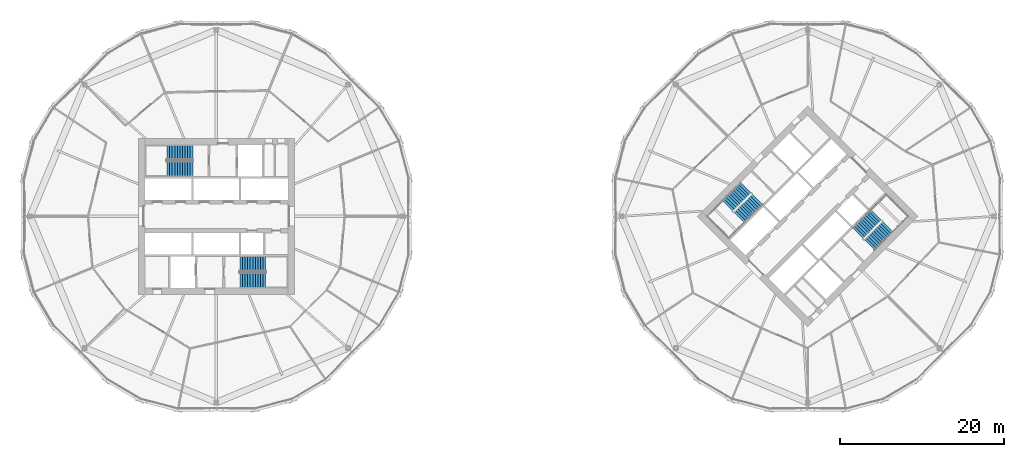
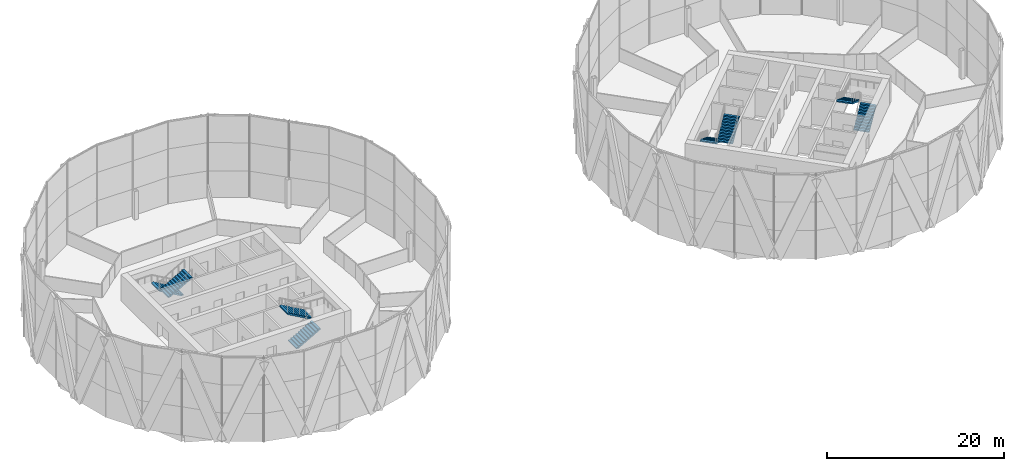
# One storey, part 24 of 26: 8 stair flights, 4 elements without a shape of their own.
"""IFC4 building model written with IfcOpenShell, lengths in metres."""

import ifcopenshell
import ifcopenshell.guid

model = None  # the IFC model being written
_history = None  # IfcOwnerHistory: only IFC2X3 demands one
_inside = {}  # id of a spatial element -> (the spatial element, [elements in it])
_under = {}  # id of a project, library or spatial element -> (it, [spatial elements below it])
_declared = {}  # id of a project -> (the project, [libraries it declares])
_typed = {}  # id of a type object -> (the type object, [elements of that type])
_made_of = {}  # id of a material, layer set ... -> (it, [elements and type objects made of it])


def new_model(schema):
    """Start an empty IFC model of exactly this schema.

    Asked for "IFC4X3", IfcOpenShell would pick the latest addendum, in which some entities
    have other attributes; the version numbers below select the first issue.
    IFC2X3 requires an IfcOwnerHistory on every rooted entity: one is made here for all.
    """
    global model, _history
    if schema == "IFC4X3":
        model = ifcopenshell.file(schema_version=(4, 3, 0, 0))
    else:
        model = ifcopenshell.file(schema=schema)
    _inside.clear()
    _under.clear()
    _declared.clear()
    _typed.clear()
    _made_of.clear()
    _history = None
    if model.schema == "IFC2X3":
        org = make("IfcOrganization", Name="unknown")
        user = make(
            "IfcPersonAndOrganization",
            ThePerson=make("IfcPerson", FamilyName="unknown"),
            TheOrganization=org,
        )
        app = make(
            "IfcApplication",
            ApplicationDeveloper=org,
            Version="unknown",
            ApplicationFullName="unknown",
            ApplicationIdentifier="unknown",
        )
        _history = make(
            "IfcOwnerHistory",
            OwningUser=user,
            OwningApplication=app,
            ChangeAction="ADDED",
            CreationDate=0,
        )
    return model


def make(cls, **values):
    """One entity of the class cls with the attributes given. An attribute that is None is left unset."""
    return model.create_entity(
        cls, **{name: value for name, value in values.items() if value is not None}
    )


def rooted(cls, **values):
    """An entity with a GlobalId (a new one), such as an element, a storey or a relation."""
    return make(cls, GlobalId=ifcopenshell.guid.new(), OwnerHistory=_history, **values)


def si_unit(unit_type, name, prefix=None):
    """IfcSIUnit, for example si_unit("LENGTHUNIT", "METRE", prefix="MILLI")."""
    return make("IfcSIUnit", UnitType=unit_type, Prefix=prefix, Name=name)


def assignment(units):
    """IfcUnitAssignment: the units of a project."""
    return None if units is None else make("IfcUnitAssignment", Units=units)


def point(xyz):
    """IfcCartesianPoint."""
    return None if xyz is None else make("IfcCartesianPoint", Coordinates=xyz)


def direction(xyz):
    """IfcDirection."""
    return None if xyz is None else make("IfcDirection", DirectionRatios=xyz)


def frame(location, z_axis=None, x_axis=None):
    """IfcAxis2Placement3D, a coordinate frame: its origin and axes. An axis left out is left unset."""
    return make(
        "IfcAxis2Placement3D",
        Location=point(location),
        Axis=direction(z_axis),
        RefDirection=direction(x_axis),
    )


def origin():
    """The frame at (0, 0, 0) with its axes left unset."""
    return frame((0.0, 0.0, 0.0))


def place(relative_to, where):
    """IfcLocalPlacement: puts the frame where relative to a parent placement (None: the world)."""
    return make(
        "IfcLocalPlacement", PlacementRelTo=relative_to, RelativePlacement=where
    )


def context(
    kind, dimensions, precision=None, world=None, true_north=None, identifier=None
):
    """IfcGeometricRepresentationContext, for example the 3D "Model" context."""
    return make(
        "IfcGeometricRepresentationContext",
        ContextIdentifier=identifier,
        ContextType=kind,
        CoordinateSpaceDimension=dimensions,
        Precision=precision,
        WorldCoordinateSystem=world,
        TrueNorth=true_north,
    )


def subcontext(parent, identifier, kind, view, scale=None):
    """IfcGeometricRepresentationSubContext, for example "Body" below "Model"."""
    return make(
        "IfcGeometricRepresentationSubContext",
        ContextIdentifier=identifier,
        ContextType=kind,
        ParentContext=parent,
        TargetScale=scale,
        TargetView=view,
    )


def project(units=None, contexts=None):
    """IfcProject with its units and contexts."""
    return rooted(
        "IfcProject",
        Name="project",
        RepresentationContexts=contexts,
        UnitsInContext=assignment(units),
    )


def spatial(cls, under=None, at=None, **own):
    """A site, building, storey or space (cls), placed at a placement, below another one or the project."""
    s = rooted(cls, ObjectPlacement=at, **own)
    if under is not None:
        _under.setdefault(under.id(), (under, []))[1].append(s)
    return s


def polyline(points):
    """IfcPolyline through the points."""
    return make("IfcPolyline", Points=[point(p) for p in points])


def outline(outer, holes=None, kind="AREA"):
    """IfcArbitraryClosedProfileDef: a profile drawn as a closed curve; with holes, ...WithVoids."""
    if holes is None:
        return make("IfcArbitraryClosedProfileDef", ProfileType=kind, OuterCurve=outer)
    return make(
        "IfcArbitraryProfileDefWithVoids",
        ProfileType=kind,
        OuterCurve=outer,
        InnerCurves=holes,
    )


def extrude(swept, where, along, depth):
    """IfcExtrudedAreaSolid: the profile swept, set in the frame where, extruded along a direction by depth."""
    return make(
        "IfcExtrudedAreaSolid",
        SweptArea=swept,
        Position=where,
        ExtrudedDirection=direction(along),
        Depth=depth,
    )


def shape(context_of_items, identifier, shape_type, items):
    """IfcShapeRepresentation: the items that make up one representation, for example the "Body"."""
    return make(
        "IfcShapeRepresentation",
        ContextOfItems=context_of_items,
        RepresentationIdentifier=identifier,
        RepresentationType=shape_type,
        Items=items,
    )


def material(Name=None, Category=None):
    """IfcMaterial."""
    return make("IfcMaterial", Name=Name, Category=Category)


def made_of(thing, what):
    """Note that an element or type object is made of a material, layer set ...; save() writes the relation."""
    if what is not None:
        _made_of.setdefault(what.id(), (what, []))[1].append(thing)
    return thing


def type_object(cls, material=None, **own):
    """A type object (cls), such as IfcWallType, which elements share."""
    return made_of(rooted(cls, **own), material)


def element(
    cls,
    number,
    at=None,
    inside=None,
    cuts=None,
    type_object=None,
    material=None,
    context=None,
    identifier="Body",
    shape_type=None,
    held_by="IfcProductDefinitionShape",
    body=None,
    shapes=None,
    **own,
):
    """One element of the class cls, such as IfcWall. Its Tag is "e" and its number.

    at: its placement. inside: the storey or other place that contains it. cuts: it is an
    opening in that element (IfcRelVoidsElement). A single representation is given by context,
    identifier, shape_type and body (its items); several are given by shapes. held_by: the class
    of the entity that holds the representations. save() writes the other relations.
    """
    e = rooted(cls, Tag="e%d" % number, ObjectPlacement=at, **own)
    if body is not None:
        shapes = [shape(context, identifier, shape_type, body)]
    if shapes is not None:
        e.Representation = make(held_by, Representations=shapes)
    if inside is not None:
        _inside.setdefault(inside.id(), (inside, []))[1].append(e)
    if cuts is not None:
        rooted(
            "IfcRelVoidsElement", RelatingBuildingElement=cuts, RelatedOpeningElement=e
        )
    if type_object is not None:
        _typed.setdefault(type_object.id(), (type_object, []))[1].append(e)
    return made_of(e, material)


def aggregate(whole, parts):
    """IfcRelAggregates: a whole, such as a stair, and the parts it consists of."""
    return rooted("IfcRelAggregates", RelatingObject=whole, RelatedObjects=parts)


def save(model, path):
    """Write the relations noted so far, then the file.

    IfcRelAggregates (storeys below a building ...), IfcRelContainedInSpatialStructure (elements
    in a storey), IfcRelDefinesByType, IfcRelAssociatesMaterial and IfcRelDeclares: one each for
    every whole, place, type object, material and project.
    """
    for whole, parts in _under.values():
        aggregate(whole, parts)
    for where, things in _inside.values():
        rooted(
            "IfcRelContainedInSpatialStructure",
            RelatedElements=things,
            RelatingStructure=where,
        )
    for kind, things in _typed.values():
        rooted("IfcRelDefinesByType", RelatedObjects=things, RelatingType=kind)
    for what, things in _made_of.values():
        rooted("IfcRelAssociatesMaterial", RelatedObjects=things, RelatingMaterial=what)
    for by, libraries in _declared.values():
        rooted("IfcRelDeclares", RelatingContext=by, RelatedDefinitions=libraries)
    model.write(path)


model = new_model("IFC4")

# Units and contexts
model_context = context("Model", 3, precision=1e-05, world=origin(), true_north=direction((0.0, 1.0)))
body_context = subcontext(model_context, "Body", "Model", "MODEL_VIEW")
ifc_project = project(units=[si_unit("LENGTHUNIT", "METRE"), si_unit("AREAUNIT", "SQUARE_METRE"), si_unit("VOLUMEUNIT", "CUBIC_METRE"), si_unit("PLANEANGLEUNIT", "RADIAN"), si_unit("MASSUNIT", "GRAM", prefix="KILO")], contexts=[model_context])

# Site, building, storey
site_placement = place(None, origin())
site = spatial("IfcSite", under=ifc_project, at=site_placement, CompositionType="ELEMENT")
building_placement = place(site_placement, origin())
building = spatial("IfcBuilding", under=site, at=building_placement, Name="Ogive Gate Towers", CompositionType="ELEMENT")
storey_placement = place(building_placement, frame((0.0, 0.0, 87.89990234375)))
storey = spatial("IfcBuildingStorey", under=building, at=storey_placement, Name="L20", CompositionType="ELEMENT", Elevation=87.89990234375)

# Stair, stair flights
ifc_material = material(Name="Concrete C40/50", Category="concrete")
stair_type = type_object("IfcStairType", Name="Escape stair 1840 wide", PredefinedType="HALF_TURN_STAIR", material=ifc_material)
stair_1_placement = place(storey_placement, origin())
stair_1 = element("IfcStair", 1, at=stair_1_placement, inside=storey, type_object=stair_type, Name="L20 Escape stair 1", PredefinedType="HALF_TURN_STAIR")
stair_flight_type = type_object("IfcStairFlightType", Name="Stair flight 1840 wide", PredefinedType="STRAIGHT", material=ifc_material)
stair_flight_1_placement = place(storey_placement, frame((-38.864990234375, 7.780029296875, 0.0), z_axis=(0.0, 0.0, 1.0), x_axis=(-1.0, 0.0, 0.0)))
stair_flight_1 = element("IfcStairFlight", 2, at=stair_flight_1_placement, type_object=stair_flight_type, Name="ST1 flight 1", NumberOfRisers=11, NumberOfTreads=10, PredefinedType="STRAIGHT", RiserHeight=0.177272727, TreadLength=0.313636364, context=body_context, shape_type="SweptSolid", body=[
    extrude(outline(polyline([(0.0, 0.0), (0.0, 0.17724609375), (0.313720703125, 0.17724609375), (0.313720703125, 0.3544921875), (0.627197265625, 0.3544921875), (0.627197265625, 0.53173828125), (0.94091796875, 0.53173828125), (0.94091796875, 0.708984375), (1.254638671875, 0.708984375), (1.254638671875, 0.886474609375), (1.568115234375, 0.886474609375), (1.568115234375, 1.063720703125), (1.8818359375, 1.063720703125), (1.8818359375, 1.240966796875), (2.195556640625, 1.240966796875), (2.195556640625, 1.418212890625), (2.509033203125, 1.418212890625), (2.509033203125, 1.595458984375), (2.82275390625, 1.595458984375), (2.82275390625, 1.772705078125), (3.136474609375, 1.772705078125), (3.136474609375, 1.949951171875), (3.136474609375, 1.6005859375), (0.3046875, 0.0), (0.0, 0.0)])), frame((0.0, 0.919921875, 0.0), z_axis=(0.0, -1.0, 0.0), x_axis=(1.0, 0.0, 0.0)), (0.0, 0.0, 1.0), 1.840087890625),
])
stair_flight_2_placement = place(storey_placement, frame((-42.00146484375, 5.794921875, 1.9501953125), z_axis=(0.0, 0.0, 1.0), x_axis=(1.0, 0.0, 0.0)))
stair_flight_2 = element("IfcStairFlight", 3, at=stair_flight_2_placement, type_object=stair_flight_type, Name="ST1 flight 2", NumberOfRisers=11, NumberOfTreads=10, PredefinedType="STRAIGHT", RiserHeight=0.177272727, TreadLength=0.313636364, context=body_context, shape_type="SweptSolid", body=[
    extrude(outline(polyline([(0.0, 0.0), (0.0, 0.17724609375), (0.313720703125, 0.17724609375), (0.313720703125, 0.3544921875), (0.627197265625, 0.3544921875), (0.627197265625, 0.53173828125), (0.94091796875, 0.53173828125), (0.94091796875, 0.708984375), (1.254638671875, 0.708984375), (1.254638671875, 0.886474609375), (1.568115234375, 0.886474609375), (1.568115234375, 1.063720703125), (1.8818359375, 1.063720703125), (1.8818359375, 1.240966796875), (2.195556640625, 1.240966796875), (2.195556640625, 1.418212890625), (2.509033203125, 1.418212890625), (2.509033203125, 1.595458984375), (2.82275390625, 1.595458984375), (2.82275390625, 1.772705078125), (3.136474609375, 1.772705078125), (3.136474609375, 1.949951171875), (3.136474609375, 1.6005859375), (0.3046875, 0.0), (0.0, 0.0)])), frame((0.0, 0.919921875, 0.0), z_axis=(0.0, -1.0, 0.0), x_axis=(1.0, 0.0, 0.0)), (0.0, 0.0, 1.0), 1.840087890625),
])
aggregate(stair_1, [stair_flight_1, stair_flight_2])

stair_2_placement = place(storey_placement, origin())
stair_2 = element("IfcStair", 4, at=stair_2_placement, inside=storey, type_object=stair_type, Name="L20 Escape stair 2", PredefinedType="HALF_TURN_STAIR")
stair_flight_3_placement = place(storey_placement, frame((-33.135009765625, -7.780029296875, 0.0), z_axis=(0.0, 0.0, 1.0), x_axis=(1.0, 0.0, 0.0)))
stair_flight_3 = element("IfcStairFlight", 5, at=stair_flight_3_placement, type_object=stair_flight_type, Name="ST2 flight 1", NumberOfRisers=11, NumberOfTreads=10, PredefinedType="STRAIGHT", RiserHeight=0.177272727, TreadLength=0.313636364, context=body_context, shape_type="SweptSolid", body=[
    extrude(outline(polyline([(0.0, 0.0), (0.0, 0.17724609375), (0.313720703125, 0.17724609375), (0.313720703125, 0.3544921875), (0.627197265625, 0.3544921875), (0.627197265625, 0.53173828125), (0.94091796875, 0.53173828125), (0.94091796875, 0.708984375), (1.254638671875, 0.708984375), (1.254638671875, 0.886474609375), (1.568115234375, 0.886474609375), (1.568115234375, 1.063720703125), (1.8818359375, 1.063720703125), (1.8818359375, 1.240966796875), (2.195556640625, 1.240966796875), (2.195556640625, 1.418212890625), (2.509033203125, 1.418212890625), (2.509033203125, 1.595458984375), (2.82275390625, 1.595458984375), (2.82275390625, 1.772705078125), (3.136474609375, 1.772705078125), (3.136474609375, 1.949951171875), (3.136474609375, 1.6005859375), (0.3046875, 0.0), (0.0, 0.0)])), frame((0.0, 0.919921875, 0.0), z_axis=(0.0, -1.0, 0.0), x_axis=(1.0, 0.0, 0.0)), (0.0, 0.0, 1.0), 1.840087890625),
])
stair_flight_4_placement = place(storey_placement, frame((-29.99853515625, -5.794921875, 1.9501953125), z_axis=(0.0, 0.0, 1.0), x_axis=(-1.0, 0.0, 0.0)))
stair_flight_4 = element("IfcStairFlight", 6, at=stair_flight_4_placement, type_object=stair_flight_type, Name="ST2 flight 2", NumberOfRisers=11, NumberOfTreads=10, PredefinedType="STRAIGHT", RiserHeight=0.177272727, TreadLength=0.313636364, context=body_context, shape_type="SweptSolid", body=[
    extrude(outline(polyline([(0.0, 0.0), (0.0, 0.17724609375), (0.313720703125, 0.17724609375), (0.313720703125, 0.3544921875), (0.627197265625, 0.3544921875), (0.627197265625, 0.53173828125), (0.94091796875, 0.53173828125), (0.94091796875, 0.708984375), (1.254638671875, 0.708984375), (1.254638671875, 0.886474609375), (1.568115234375, 0.886474609375), (1.568115234375, 1.063720703125), (1.8818359375, 1.063720703125), (1.8818359375, 1.240966796875), (2.195556640625, 1.240966796875), (2.195556640625, 1.418212890625), (2.509033203125, 1.418212890625), (2.509033203125, 1.595458984375), (2.82275390625, 1.595458984375), (2.82275390625, 1.772705078125), (3.136474609375, 1.772705078125), (3.136474609375, 1.949951171875), (3.136474609375, 1.6005859375), (0.3046875, 0.0), (0.0, 0.0)])), frame((0.0, 0.919921875, 0.0), z_axis=(0.0, -1.0, 0.0), x_axis=(1.0, 0.0, 0.0)), (0.0, 0.0, 1.0), 1.840087890625),
])
aggregate(stair_2, [stair_flight_3, stair_flight_4])

stair_3_placement = place(storey_placement, origin())
stair_3 = element("IfcStair", 7, at=stair_3_placement, inside=storey, type_object=stair_type, Name="L20 Escape stair 1", PredefinedType="HALF_TURN_STAIR")
stair_flight_5_placement = place(storey_placement, frame((28.472900390625, 3.475341796875, 0.0), z_axis=(0.0, 0.0, 1.0), x_axis=(-0.707106781187, -0.707106781187, 0.0)))
stair_flight_5 = element("IfcStairFlight", 8, at=stair_flight_5_placement, type_object=stair_flight_type, Name="ST1 flight 1", NumberOfRisers=11, NumberOfTreads=10, PredefinedType="STRAIGHT", RiserHeight=0.177272727, TreadLength=0.313636364, context=body_context, shape_type="SweptSolid", body=[
    extrude(outline(polyline([(0.0, 0.0), (0.0, 0.17724609375), (0.313720703125, 0.17724609375), (0.313720703125, 0.3544921875), (0.627197265625, 0.3544921875), (0.627197265625, 0.53173828125), (0.94091796875, 0.53173828125), (0.94091796875, 0.708984375), (1.254638671875, 0.708984375), (1.254638671875, 0.886474609375), (1.568115234375, 0.886474609375), (1.568115234375, 1.063720703125), (1.8818359375, 1.063720703125), (1.8818359375, 1.240966796875), (2.195556640625, 1.240966796875), (2.195556640625, 1.418212890625), (2.509033203125, 1.418212890625), (2.509033203125, 1.595458984375), (2.82275390625, 1.595458984375), (2.82275390625, 1.772705078125), (3.136474609375, 1.772705078125), (3.136474609375, 1.949951171875), (3.136474609375, 1.6005859375), (0.3046875, 0.0), (0.0, 0.0)])), frame((0.0, 0.919921875, 0.0), z_axis=(0.0, -1.0, 0.0), x_axis=(1.0, 0.0, 0.0)), (0.0, 0.0, 1.0), 1.840087890625),
])
stair_flight_6_placement = place(storey_placement, frame((27.65869140625, -0.14599609375, 1.9501953125), z_axis=(0.0, 0.0, 1.0), x_axis=(0.707106781187, 0.707106781187, 0.0)))
stair_flight_6 = element("IfcStairFlight", 9, at=stair_flight_6_placement, type_object=stair_flight_type, Name="ST1 flight 2", NumberOfRisers=11, NumberOfTreads=10, PredefinedType="STRAIGHT", RiserHeight=0.177272727, TreadLength=0.313636364, context=body_context, shape_type="SweptSolid", body=[
    extrude(outline(polyline([(0.0, 0.0), (0.0, 0.17724609375), (0.313720703125, 0.17724609375), (0.313720703125, 0.3544921875), (0.627197265625, 0.3544921875), (0.627197265625, 0.53173828125), (0.94091796875, 0.53173828125), (0.94091796875, 0.708984375), (1.254638671875, 0.708984375), (1.254638671875, 0.886474609375), (1.568115234375, 0.886474609375), (1.568115234375, 1.063720703125), (1.8818359375, 1.063720703125), (1.8818359375, 1.240966796875), (2.195556640625, 1.240966796875), (2.195556640625, 1.418212890625), (2.509033203125, 1.418212890625), (2.509033203125, 1.595458984375), (2.82275390625, 1.595458984375), (2.82275390625, 1.772705078125), (3.136474609375, 1.772705078125), (3.136474609375, 1.949951171875), (3.136474609375, 1.6005859375), (0.3046875, 0.0), (0.0, 0.0)])), frame((0.0, 0.919921875, 0.0), z_axis=(0.0, -1.0, 0.0), x_axis=(1.0, 0.0, 0.0)), (0.0, 0.0, 1.0), 1.840087890625),
])
aggregate(stair_3, [stair_flight_5, stair_flight_6])

stair_4_placement = place(storey_placement, origin())
stair_4 = element("IfcStair", 10, at=stair_4_placement, inside=storey, type_object=stair_type, Name="L20 Escape stair 2", PredefinedType="HALF_TURN_STAIR")
stair_flight_7_placement = place(storey_placement, frame((43.527099609375, -3.475341796875, 0.0), z_axis=(0.0, 0.0, 1.0), x_axis=(0.707106781187, 0.707106781187, 0.0)))
stair_flight_7 = element("IfcStairFlight", 11, at=stair_flight_7_placement, type_object=stair_flight_type, Name="ST2 flight 1", NumberOfRisers=11, NumberOfTreads=10, PredefinedType="STRAIGHT", RiserHeight=0.177272727, TreadLength=0.313636364, context=body_context, shape_type="SweptSolid", body=[
    extrude(outline(polyline([(0.0, 0.0), (0.0, 0.17724609375), (0.313720703125, 0.17724609375), (0.313720703125, 0.3544921875), (0.627197265625, 0.3544921875), (0.627197265625, 0.53173828125), (0.94091796875, 0.53173828125), (0.94091796875, 0.708984375), (1.254638671875, 0.708984375), (1.254638671875, 0.886474609375), (1.568115234375, 0.886474609375), (1.568115234375, 1.063720703125), (1.8818359375, 1.063720703125), (1.8818359375, 1.240966796875), (2.195556640625, 1.240966796875), (2.195556640625, 1.418212890625), (2.509033203125, 1.418212890625), (2.509033203125, 1.595458984375), (2.82275390625, 1.595458984375), (2.82275390625, 1.772705078125), (3.136474609375, 1.772705078125), (3.136474609375, 1.949951171875), (3.136474609375, 1.6005859375), (0.3046875, 0.0), (0.0, 0.0)])), frame((0.0, 0.919921875, 0.0), z_axis=(0.0, -1.0, 0.0), x_axis=(1.0, 0.0, 0.0)), (0.0, 0.0, 1.0), 1.840087890625),
])
stair_flight_8_placement = place(storey_placement, frame((44.34130859375, 0.14599609375, 1.9501953125), z_axis=(0.0, 0.0, 1.0), x_axis=(-0.707106781187, -0.707106781187, 0.0)))
stair_flight_8 = element("IfcStairFlight", 12, at=stair_flight_8_placement, type_object=stair_flight_type, Name="ST2 flight 2", NumberOfRisers=11, NumberOfTreads=10, PredefinedType="STRAIGHT", RiserHeight=0.177272727, TreadLength=0.313636364, context=body_context, shape_type="SweptSolid", body=[
    extrude(outline(polyline([(0.0, 0.0), (0.0, 0.17724609375), (0.313720703125, 0.17724609375), (0.313720703125, 0.3544921875), (0.627197265625, 0.3544921875), (0.627197265625, 0.53173828125), (0.94091796875, 0.53173828125), (0.94091796875, 0.708984375), (1.254638671875, 0.708984375), (1.254638671875, 0.886474609375), (1.568115234375, 0.886474609375), (1.568115234375, 1.063720703125), (1.8818359375, 1.063720703125), (1.8818359375, 1.240966796875), (2.195556640625, 1.240966796875), (2.195556640625, 1.418212890625), (2.509033203125, 1.418212890625), (2.509033203125, 1.595458984375), (2.82275390625, 1.595458984375), (2.82275390625, 1.772705078125), (3.136474609375, 1.772705078125), (3.136474609375, 1.949951171875), (3.136474609375, 1.6005859375), (0.3046875, 0.0), (0.0, 0.0)])), frame((0.0, 0.919921875, 0.0), z_axis=(0.0, -1.0, 0.0), x_axis=(1.0, 0.0, 0.0)), (0.0, 0.0, 1.0), 1.840087890625),
])
aggregate(stair_4, [stair_flight_7, stair_flight_8])

save(model, "model.ifc")
